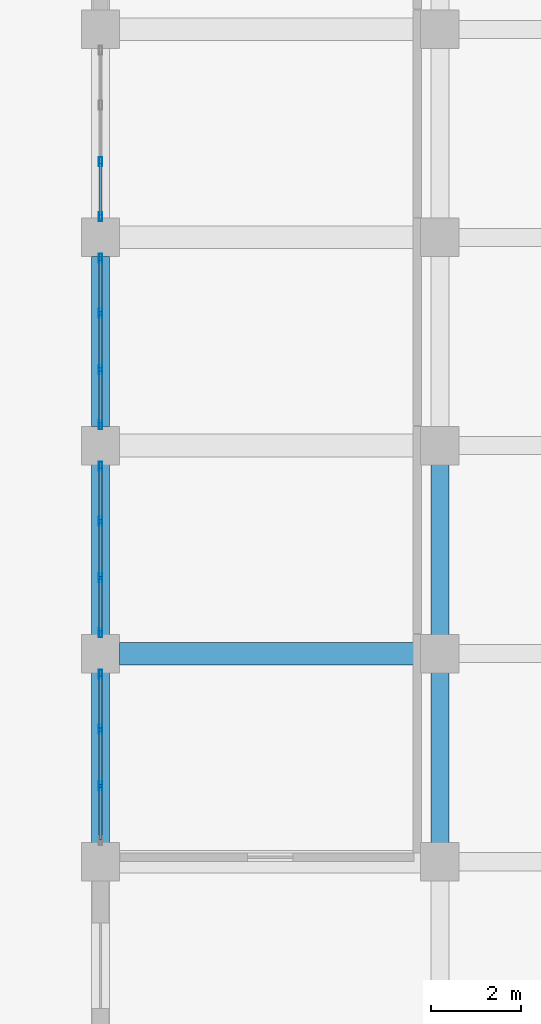
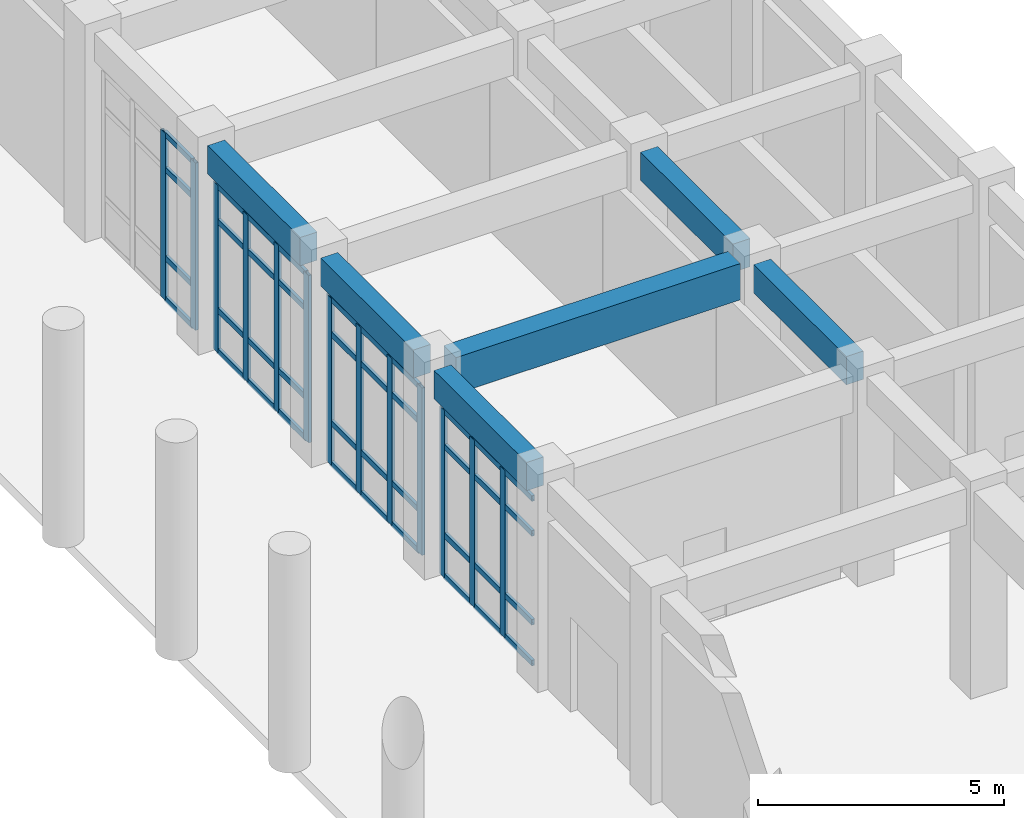
# One storey, part 14 of 84: 53 members, 6 beams, 4 elements without a shape of their own.
"""IFC4 building model written with IfcOpenShell, lengths in metres."""

import ifcopenshell
import ifcopenshell.guid

model = None  # the IFC model being written
_history = None  # IfcOwnerHistory: only IFC2X3 demands one
_inside = {}  # id of a spatial element -> (the spatial element, [elements in it])
_under = {}  # id of a project, library or spatial element -> (it, [spatial elements below it])
_declared = {}  # id of a project -> (the project, [libraries it declares])
_typed = {}  # id of a type object -> (the type object, [elements of that type])
_made_of = {}  # id of a material, layer set ... -> (it, [elements and type objects made of it])


def new_model(schema):
    """Start an empty IFC model of exactly this schema.

    Asked for "IFC4X3", IfcOpenShell would pick the latest addendum, in which some entities
    have other attributes; the version numbers below select the first issue.
    IFC2X3 requires an IfcOwnerHistory on every rooted entity: one is made here for all.
    """
    global model, _history
    if schema == "IFC4X3":
        model = ifcopenshell.file(schema_version=(4, 3, 0, 0))
    else:
        model = ifcopenshell.file(schema=schema)
    _inside.clear()
    _under.clear()
    _declared.clear()
    _typed.clear()
    _made_of.clear()
    _history = None
    if model.schema == "IFC2X3":
        org = make("IfcOrganization", Name="unknown")
        user = make(
            "IfcPersonAndOrganization",
            ThePerson=make("IfcPerson", FamilyName="unknown"),
            TheOrganization=org,
        )
        app = make(
            "IfcApplication",
            ApplicationDeveloper=org,
            Version="unknown",
            ApplicationFullName="unknown",
            ApplicationIdentifier="unknown",
        )
        _history = make(
            "IfcOwnerHistory",
            OwningUser=user,
            OwningApplication=app,
            ChangeAction="ADDED",
            CreationDate=0,
        )
    return model


def make(cls, **values):
    """One entity of the class cls with the attributes given. An attribute that is None is left unset."""
    return model.create_entity(
        cls, **{name: value for name, value in values.items() if value is not None}
    )


def rooted(cls, **values):
    """An entity with a GlobalId (a new one), such as an element, a storey or a relation."""
    return make(cls, GlobalId=ifcopenshell.guid.new(), OwnerHistory=_history, **values)


def si_unit(unit_type, name, prefix=None):
    """IfcSIUnit, for example si_unit("LENGTHUNIT", "METRE", prefix="MILLI")."""
    return make("IfcSIUnit", UnitType=unit_type, Prefix=prefix, Name=name)


def assignment(units):
    """IfcUnitAssignment: the units of a project."""
    return None if units is None else make("IfcUnitAssignment", Units=units)


def point(xyz):
    """IfcCartesianPoint."""
    return None if xyz is None else make("IfcCartesianPoint", Coordinates=xyz)


def direction(xyz):
    """IfcDirection."""
    return None if xyz is None else make("IfcDirection", DirectionRatios=xyz)


def frame(location, z_axis=None, x_axis=None):
    """IfcAxis2Placement3D, a coordinate frame: its origin and axes. An axis left out is left unset."""
    return make(
        "IfcAxis2Placement3D",
        Location=point(location),
        Axis=direction(z_axis),
        RefDirection=direction(x_axis),
    )


def frame_2d(location, x_axis=None):
    """IfcAxis2Placement2D, a coordinate frame in the plane: its origin and x axis."""
    return make(
        "IfcAxis2Placement2D", Location=point(location), RefDirection=direction(x_axis)
    )


def origin():
    """The frame at (0, 0, 0) with its axes left unset."""
    return frame((0.0, 0.0, 0.0))


def origin_2d():
    """The frame at (0, 0) in the plane with its x axis left unset."""
    return frame_2d((0.0, 0.0))


def place(relative_to, where):
    """IfcLocalPlacement: puts the frame where relative to a parent placement (None: the world)."""
    return make(
        "IfcLocalPlacement", PlacementRelTo=relative_to, RelativePlacement=where
    )


def context(
    kind, dimensions, precision=None, world=None, true_north=None, identifier=None
):
    """IfcGeometricRepresentationContext, for example the 3D "Model" context."""
    return make(
        "IfcGeometricRepresentationContext",
        ContextIdentifier=identifier,
        ContextType=kind,
        CoordinateSpaceDimension=dimensions,
        Precision=precision,
        WorldCoordinateSystem=world,
        TrueNorth=true_north,
    )


def subcontext(parent, identifier, kind, view, scale=None):
    """IfcGeometricRepresentationSubContext, for example "Body" below "Model"."""
    return make(
        "IfcGeometricRepresentationSubContext",
        ContextIdentifier=identifier,
        ContextType=kind,
        ParentContext=parent,
        TargetScale=scale,
        TargetView=view,
    )


def project(units=None, contexts=None):
    """IfcProject with its units and contexts."""
    return rooted(
        "IfcProject",
        Name="project",
        RepresentationContexts=contexts,
        UnitsInContext=assignment(units),
    )


def spatial(cls, under=None, at=None, **own):
    """A site, building, storey or space (cls), placed at a placement, below another one or the project."""
    s = rooted(cls, ObjectPlacement=at, **own)
    if under is not None:
        _under.setdefault(under.id(), (under, []))[1].append(s)
    return s


def profile(cls, at=None, kind="AREA", **sizes):
    """A parametric profile (cls). Its sizes go by their IFC names, for example OverallWidth=200.0."""
    return make(cls, ProfileType=kind, Position=at, **sizes)


def rectangle(**sizes):
    """IfcRectangleProfileDef."""
    return profile("IfcRectangleProfileDef", **sizes)


def hollow_rectangle(**sizes):
    """IfcRectangleHollowProfileDef."""
    return profile("IfcRectangleHollowProfileDef", **sizes)


def extrude(swept, where, along, depth):
    """IfcExtrudedAreaSolid: the profile swept, set in the frame where, extruded along a direction by depth."""
    return make(
        "IfcExtrudedAreaSolid",
        SweptArea=swept,
        Position=where,
        ExtrudedDirection=direction(along),
        Depth=depth,
    )


def shape(context_of_items, identifier, shape_type, items):
    """IfcShapeRepresentation: the items that make up one representation, for example the "Body"."""
    return make(
        "IfcShapeRepresentation",
        ContextOfItems=context_of_items,
        RepresentationIdentifier=identifier,
        RepresentationType=shape_type,
        Items=items,
    )


def material(Name=None, Category=None):
    """IfcMaterial."""
    return make("IfcMaterial", Name=Name, Category=Category)


def layer(
    of_material, thickness, ventilated=None, Name=None, Category=None, Priority=None
):
    """IfcMaterialLayer: one layer of a wall or slab, of a material (None: an air gap)."""
    return make(
        "IfcMaterialLayer",
        Material=of_material,
        LayerThickness=thickness,
        IsVentilated=ventilated,
        Name=Name,
        Category=Category,
        Priority=Priority,
    )


def layer_set(layers, Name=None):
    """IfcMaterialLayerSet."""
    return make("IfcMaterialLayerSet", MaterialLayers=layers, LayerSetName=Name)


def material_profile(
    of_material, cross_section, Name=None, Category=None, Priority=None
):
    """IfcMaterialProfile: a cross section and its material."""
    return make(
        "IfcMaterialProfile",
        Name=Name,
        Material=of_material,
        Profile=cross_section,
        Priority=Priority,
        Category=Category,
    )


def profile_set(profiles, Name=None, composite=None):
    """IfcMaterialProfileSet."""
    return make(
        "IfcMaterialProfileSet",
        Name=Name,
        MaterialProfiles=profiles,
        CompositeProfile=composite,
    )


def made_of(thing, what):
    """Note that an element or type object is made of a material, layer set ...; save() writes the relation."""
    if what is not None:
        _made_of.setdefault(what.id(), (what, []))[1].append(thing)
    return thing


def type_object(cls, material=None, **own):
    """A type object (cls), such as IfcWallType, which elements share."""
    return made_of(rooted(cls, **own), material)


def element(
    cls,
    number,
    at=None,
    inside=None,
    cuts=None,
    type_object=None,
    material=None,
    context=None,
    identifier="Body",
    shape_type=None,
    held_by="IfcProductDefinitionShape",
    body=None,
    shapes=None,
    **own,
):
    """One element of the class cls, such as IfcWall. Its Tag is "e" and its number.

    at: its placement. inside: the storey or other place that contains it. cuts: it is an
    opening in that element (IfcRelVoidsElement). A single representation is given by context,
    identifier, shape_type and body (its items); several are given by shapes. held_by: the class
    of the entity that holds the representations. save() writes the other relations.
    """
    e = rooted(cls, Tag="e%d" % number, ObjectPlacement=at, **own)
    if body is not None:
        shapes = [shape(context, identifier, shape_type, body)]
    if shapes is not None:
        e.Representation = make(held_by, Representations=shapes)
    if inside is not None:
        _inside.setdefault(inside.id(), (inside, []))[1].append(e)
    if cuts is not None:
        rooted(
            "IfcRelVoidsElement", RelatingBuildingElement=cuts, RelatedOpeningElement=e
        )
    if type_object is not None:
        _typed.setdefault(type_object.id(), (type_object, []))[1].append(e)
    return made_of(e, material)


def aggregate(whole, parts):
    """IfcRelAggregates: a whole, such as a stair, and the parts it consists of."""
    return rooted("IfcRelAggregates", RelatingObject=whole, RelatedObjects=parts)


def save(model, path):
    """Write the relations noted so far, then the file.

    IfcRelAggregates (storeys below a building ...), IfcRelContainedInSpatialStructure (elements
    in a storey), IfcRelDefinesByType, IfcRelAssociatesMaterial and IfcRelDeclares: one each for
    every whole, place, type object, material and project.
    """
    for whole, parts in _under.values():
        aggregate(whole, parts)
    for where, things in _inside.values():
        rooted(
            "IfcRelContainedInSpatialStructure",
            RelatedElements=things,
            RelatingStructure=where,
        )
    for kind, things in _typed.values():
        rooted("IfcRelDefinesByType", RelatedObjects=things, RelatingType=kind)
    for what, things in _made_of.values():
        rooted("IfcRelAssociatesMaterial", RelatedObjects=things, RelatingMaterial=what)
    for by, libraries in _declared.values():
        rooted("IfcRelDeclares", RelatingContext=by, RelatedDefinitions=libraries)
    model.write(path)


model = new_model("IFC4")

# Units and contexts
model_context = context("Model", 3, precision=1e-05, world=origin(), true_north=direction((0.0, 1.0)))
body_context = subcontext(model_context, "Body", "Model", "MODEL_VIEW")
ifc_project = project(units=[si_unit("LENGTHUNIT", "METRE"), si_unit("AREAUNIT", "SQUARE_METRE"), si_unit("VOLUMEUNIT", "CUBIC_METRE"), si_unit("PLANEANGLEUNIT", "RADIAN"), si_unit("MASSUNIT", "GRAM", prefix="KILO")], contexts=[model_context])

# Site, building, storey
site_placement = place(None, origin())
site = spatial("IfcSite", under=ifc_project, at=site_placement, CompositionType="ELEMENT")
building_placement = place(site_placement, origin())
building = spatial("IfcBuilding", under=site, at=building_placement, Name="Muzn Square Opera House", CompositionType="ELEMENT")
storey_placement = place(building_placement, origin())
storey = spatial("IfcBuildingStorey", under=building, at=storey_placement, Name="L00", CompositionType="ELEMENT", Elevation=0.0)

# Curtain wall, members
ifc_material_1 = material(Name="Low-E laminated acoustic double glazing", Category="glass")
ifc_layer = layer(ifc_material_1, 0.159912109375, Name="Low-E laminated acoustic double glazing", Category="glass")
ifc_layer_set = layer_set([ifc_layer], Name="Low-E laminated acoustic double glazing")
curtain_wall_type = type_object("IfcCurtainWallType", Name="Glazed Curtain Wall WestBlvd 3750x4150", PredefinedType="USERDEFINED", material=ifc_layer_set)
curtain_wall_1_placement = place(storey_placement, origin())
curtain_wall_1 = element("IfcCurtainWall", 1, at=curtain_wall_1_placement, inside=storey, type_object=curtain_wall_type, Name="Glazed Curtain Wall CW-L00-135", ObjectType="GLAZED CURTAIN WALL", PredefinedType="USERDEFINED")
ifc_material_2 = material(Name="Anodised bronze aluminium 6063-T6", Category="metal")
ifc_material_profile_1 = material_profile(ifc_material_2, hollow_rectangle(XDim=0.070068359375, YDim=0.199951171875, WallThickness=0.0048828125, at=origin_2d()), Name="ALU 200x70x5", Category="metal")
ifc_profile_set_1 = profile_set([ifc_material_profile_1], Name="Anodised bronze aluminium 6063-T6")
member_type_1 = type_object("IfcMemberType", Name="Curtain Wall Mullion 200x70", PredefinedType="MULLION", material=ifc_profile_set_1)
member_1_placement = place(storey_placement, frame((6.0, 32.875, 0.0), z_axis=(0.0, 0.0, 1.0), x_axis=(-1.0, 0.0, 0.0)))
member_1 = element("IfcMember", 2, at=member_1_placement, type_object=member_type_1, Name="CW-WBL-37x41 mullion 2", PredefinedType="MULLION", context=body_context, shape_type="SweptSolid", body=[
    extrude(hollow_rectangle(XDim=0.070068359375, YDim=0.199951171875, WallThickness=0.0048828125, at=origin_2d()), origin(), (0.0, 0.0, 1.0), 4.14990234375),
])
member_2_placement = place(storey_placement, frame((6.0, 34.125, 0.0), z_axis=(0.0, 0.0, 1.0), x_axis=(-1.0, 0.0, 0.0)))
member_2 = element("IfcMember", 3, at=member_2_placement, type_object=member_type_1, Name="CW-WBL-37x41 mullion 3", PredefinedType="MULLION", context=body_context, shape_type="SweptSolid", body=[
    extrude(hollow_rectangle(XDim=0.070068359375, YDim=0.199951171875, WallThickness=0.0048828125, at=origin_2d()), origin(), (0.0, 0.0, 1.0), 4.14990234375),
])
member_3_placement = place(storey_placement, frame((6.0, 35.340087890625, 0.0), z_axis=(0.0, 0.0, 1.0), x_axis=(-1.0, 0.0, 0.0)))
member_3 = element("IfcMember", 4, at=member_3_placement, type_object=member_type_1, Name="CW-WBL-37x41 mullion 4", PredefinedType="MULLION", context=body_context, shape_type="SweptSolid", body=[
    extrude(hollow_rectangle(XDim=0.070068359375, YDim=0.199951171875, WallThickness=0.0048828125, at=origin_2d()), origin(), (0.0, 0.0, 1.0), 4.14990234375),
])

curtain_wall_2_placement = place(storey_placement, origin())
curtain_wall_2 = element("IfcCurtainWall", 5, at=curtain_wall_2_placement, inside=storey, type_object=curtain_wall_type, Name="Glazed Curtain Wall CW-L00-136", ObjectType="GLAZED CURTAIN WALL", PredefinedType="USERDEFINED")
member_4_placement = place(storey_placement, frame((6.0, 36.260009765625, 0.0), z_axis=(0.0, 0.0, 1.0), x_axis=(-1.0, 0.0, 0.0)))
member_4 = element("IfcMember", 6, at=member_4_placement, type_object=member_type_1, Name="CW-WBL-37x41 mullion 1", PredefinedType="MULLION", context=body_context, shape_type="SweptSolid", body=[
    extrude(hollow_rectangle(XDim=0.070068359375, YDim=0.199951171875, WallThickness=0.0048828125, at=origin_2d()), origin(), (0.0, 0.0, 1.0), 4.14990234375),
])
member_5_placement = place(storey_placement, frame((6.0, 37.47509765625, 0.0), z_axis=(0.0, 0.0, 1.0), x_axis=(-1.0, 0.0, 0.0)))
member_5 = element("IfcMember", 7, at=member_5_placement, type_object=member_type_1, Name="CW-WBL-37x41 mullion 2", PredefinedType="MULLION", context=body_context, shape_type="SweptSolid", body=[
    extrude(hollow_rectangle(XDim=0.070068359375, YDim=0.199951171875, WallThickness=0.0048828125, at=origin_2d()), origin(), (0.0, 0.0, 1.0), 4.14990234375),
])
member_6_placement = place(storey_placement, frame((6.0, 38.72509765625, 0.0), z_axis=(0.0, 0.0, 1.0), x_axis=(-1.0, 0.0, 0.0)))
member_6 = element("IfcMember", 8, at=member_6_placement, type_object=member_type_1, Name="CW-WBL-37x41 mullion 3", PredefinedType="MULLION", context=body_context, shape_type="SweptSolid", body=[
    extrude(hollow_rectangle(XDim=0.070068359375, YDim=0.199951171875, WallThickness=0.0048828125, at=origin_2d()), origin(), (0.0, 0.0, 1.0), 4.14990234375),
])
member_7_placement = place(storey_placement, frame((6.0, 39.93994140625, 0.0), z_axis=(0.0, 0.0, 1.0), x_axis=(-1.0, 0.0, 0.0)))
member_7 = element("IfcMember", 9, at=member_7_placement, type_object=member_type_1, Name="CW-WBL-37x41 mullion 4", PredefinedType="MULLION", context=body_context, shape_type="SweptSolid", body=[
    extrude(hollow_rectangle(XDim=0.070068359375, YDim=0.199951171875, WallThickness=0.0048828125, at=origin_2d()), origin(), (0.0, 0.0, 1.0), 4.14990234375),
])

curtain_wall_3_placement = place(storey_placement, origin())
curtain_wall_3 = element("IfcCurtainWall", 10, at=curtain_wall_3_placement, inside=storey, type_object=curtain_wall_type, Name="Glazed Curtain Wall CW-L00-137", ObjectType="GLAZED CURTAIN WALL", PredefinedType="USERDEFINED")
member_8_placement = place(storey_placement, frame((6.0, 40.860107421875, 0.0), z_axis=(0.0, 0.0, 1.0), x_axis=(-1.0, 0.0, 0.0)))
member_8 = element("IfcMember", 11, at=member_8_placement, type_object=member_type_1, Name="CW-WBL-37x41 mullion 1", PredefinedType="MULLION", context=body_context, shape_type="SweptSolid", body=[
    extrude(hollow_rectangle(XDim=0.070068359375, YDim=0.199951171875, WallThickness=0.0048828125, at=origin_2d()), origin(), (0.0, 0.0, 1.0), 4.14990234375),
])
member_9_placement = place(storey_placement, frame((6.0, 42.074951171875, 0.0), z_axis=(0.0, 0.0, 1.0), x_axis=(-1.0, 0.0, 0.0)))
member_9 = element("IfcMember", 12, at=member_9_placement, type_object=member_type_1, Name="CW-WBL-37x41 mullion 2", PredefinedType="MULLION", context=body_context, shape_type="SweptSolid", body=[
    extrude(hollow_rectangle(XDim=0.070068359375, YDim=0.199951171875, WallThickness=0.0048828125, at=origin_2d()), origin(), (0.0, 0.0, 1.0), 4.14990234375),
])
member_10_placement = place(storey_placement, frame((6.0, 43.324951171875, 0.0), z_axis=(0.0, 0.0, 1.0), x_axis=(-1.0, 0.0, 0.0)))
member_10 = element("IfcMember", 13, at=member_10_placement, type_object=member_type_1, Name="CW-WBL-37x41 mullion 3", PredefinedType="MULLION", context=body_context, shape_type="SweptSolid", body=[
    extrude(hollow_rectangle(XDim=0.070068359375, YDim=0.199951171875, WallThickness=0.0048828125, at=origin_2d()), origin(), (0.0, 0.0, 1.0), 4.14990234375),
])
member_11_placement = place(storey_placement, frame((6.0, 44.5400390625, 0.0), z_axis=(0.0, 0.0, 1.0), x_axis=(-1.0, 0.0, 0.0)))
member_11 = element("IfcMember", 14, at=member_11_placement, type_object=member_type_1, Name="CW-WBL-37x41 mullion 4", PredefinedType="MULLION", context=body_context, shape_type="SweptSolid", body=[
    extrude(hollow_rectangle(XDim=0.070068359375, YDim=0.199951171875, WallThickness=0.0048828125, at=origin_2d()), origin(), (0.0, 0.0, 1.0), 4.14990234375),
])

curtain_wall_4_placement = place(storey_placement, origin())
curtain_wall_4 = element("IfcCurtainWall", 15, at=curtain_wall_4_placement, inside=storey, type_object=curtain_wall_type, Name="Glazed Curtain Wall CW-L00-138", ObjectType="GLAZED CURTAIN WALL", PredefinedType="USERDEFINED")
member_12_placement = place(storey_placement, frame((6.0, 45.4599609375, 0.0), z_axis=(0.0, 0.0, 1.0), x_axis=(-1.0, 0.0, 0.0)))
member_12 = element("IfcMember", 16, at=member_12_placement, type_object=member_type_1, Name="CW-WBL-37x41 mullion 1", PredefinedType="MULLION", context=body_context, shape_type="SweptSolid", body=[
    extrude(hollow_rectangle(XDim=0.070068359375, YDim=0.199951171875, WallThickness=0.0048828125, at=origin_2d()), origin(), (0.0, 0.0, 1.0), 4.14990234375),
])
member_13_placement = place(storey_placement, frame((6.0, 46.675048828125, 0.0), z_axis=(0.0, 0.0, 1.0), x_axis=(-1.0, 0.0, 0.0)))
member_13 = element("IfcMember", 17, at=member_13_placement, type_object=member_type_1, Name="CW-WBL-37x41 mullion 2", PredefinedType="MULLION", context=body_context, shape_type="SweptSolid", body=[
    extrude(hollow_rectangle(XDim=0.070068359375, YDim=0.199951171875, WallThickness=0.0048828125, at=origin_2d()), origin(), (0.0, 0.0, 1.0), 4.14990234375),
])

# Member
ifc_material_profile_2 = material_profile(ifc_material_2, hollow_rectangle(XDim=0.070068359375, YDim=0.139892578125, WallThickness=0.00390625, at=origin_2d()), Name="ALU 140x70x4", Category="metal")
ifc_profile_set_2 = profile_set([ifc_material_profile_2], Name="Anodised bronze aluminium 6063-T6")
member_type_2 = type_object("IfcMemberType", Name="Curtain Wall Transom 140x70", PredefinedType="USERDEFINED", material=ifc_profile_set_2)
member_14_placement = place(storey_placement, frame((6.0, 31.695068359375, 0.034912109375), z_axis=(0.0, 1.0, 0.0), x_axis=(-1.0, 0.0, 0.0)))
member_14 = element("IfcMember", 18, at=member_14_placement, type_object=member_type_2, Name="CW-WBL-37x41 transom 1.1", ObjectType="TRANSOM", PredefinedType="USERDEFINED", context=body_context, shape_type="SweptSolid", body=[
    extrude(hollow_rectangle(XDim=0.070068359375, YDim=0.139892578125, WallThickness=0.00390625, at=origin_2d()), origin(), (0.0, 0.0, 1.0), 1.14501953125),
])

member_15_placement = place(storey_placement, frame((6.0, 31.695068359375, 1.050048828125), z_axis=(0.0, 1.0, 0.0), x_axis=(-1.0, 0.0, 0.0)))
member_15 = element("IfcMember", 19, at=member_15_placement, type_object=member_type_2, Name="CW-WBL-37x41 transom 1.2", ObjectType="TRANSOM", PredefinedType="USERDEFINED", context=body_context, shape_type="SweptSolid", body=[
    extrude(hollow_rectangle(XDim=0.070068359375, YDim=0.139892578125, WallThickness=0.00390625, at=origin_2d()), origin(), (0.0, 0.0, 1.0), 1.14501953125),
])

member_16_placement = place(storey_placement, frame((6.0, 31.695068359375, 3.25), z_axis=(0.0, 1.0, 0.0), x_axis=(-1.0, 0.0, 0.0)))
member_16 = element("IfcMember", 20, at=member_16_placement, type_object=member_type_2, Name="CW-WBL-37x41 transom 1.3", ObjectType="TRANSOM", PredefinedType="USERDEFINED", context=body_context, shape_type="SweptSolid", body=[
    extrude(hollow_rectangle(XDim=0.070068359375, YDim=0.139892578125, WallThickness=0.00390625, at=origin_2d()), origin(), (0.0, 0.0, 1.0), 1.14501953125),
])

member_17_placement = place(storey_placement, frame((6.0, 31.695068359375, 4.114990234375), z_axis=(0.0, 1.0, 0.0), x_axis=(-1.0, 0.0, 0.0)))
member_17 = element("IfcMember", 21, at=member_17_placement, type_object=member_type_2, Name="CW-WBL-37x41 transom 1.4", ObjectType="TRANSOM", PredefinedType="USERDEFINED", context=body_context, shape_type="SweptSolid", body=[
    extrude(hollow_rectangle(XDim=0.070068359375, YDim=0.139892578125, WallThickness=0.00390625, at=origin_2d()), origin(), (0.0, 0.0, 1.0), 1.14501953125),
])

member_18_placement = place(storey_placement, frame((6.0, 32.909912109375, 0.034912109375), z_axis=(0.0, 1.0, 0.0), x_axis=(-1.0, 0.0, 0.0)))
member_18 = element("IfcMember", 22, at=member_18_placement, type_object=member_type_2, Name="CW-WBL-37x41 transom 2.1", ObjectType="TRANSOM", PredefinedType="USERDEFINED", context=body_context, shape_type="SweptSolid", body=[
    extrude(hollow_rectangle(XDim=0.070068359375, YDim=0.139892578125, WallThickness=0.00390625, at=origin_2d()), origin(), (0.0, 0.0, 1.0), 1.18017578125),
])

member_19_placement = place(storey_placement, frame((6.0, 32.909912109375, 1.050048828125), z_axis=(0.0, 1.0, 0.0), x_axis=(-1.0, 0.0, 0.0)))
member_19 = element("IfcMember", 23, at=member_19_placement, type_object=member_type_2, Name="CW-WBL-37x41 transom 2.2", ObjectType="TRANSOM", PredefinedType="USERDEFINED", context=body_context, shape_type="SweptSolid", body=[
    extrude(hollow_rectangle(XDim=0.070068359375, YDim=0.139892578125, WallThickness=0.00390625, at=origin_2d()), origin(), (0.0, 0.0, 1.0), 1.18017578125),
])

member_20_placement = place(storey_placement, frame((6.0, 32.909912109375, 3.25), z_axis=(0.0, 1.0, 0.0), x_axis=(-1.0, 0.0, 0.0)))
member_20 = element("IfcMember", 24, at=member_20_placement, type_object=member_type_2, Name="CW-WBL-37x41 transom 2.3", ObjectType="TRANSOM", PredefinedType="USERDEFINED", context=body_context, shape_type="SweptSolid", body=[
    extrude(hollow_rectangle(XDim=0.070068359375, YDim=0.139892578125, WallThickness=0.00390625, at=origin_2d()), origin(), (0.0, 0.0, 1.0), 1.18017578125),
])

member_21_placement = place(storey_placement, frame((6.0, 32.909912109375, 4.114990234375), z_axis=(0.0, 1.0, 0.0), x_axis=(-1.0, 0.0, 0.0)))
member_21 = element("IfcMember", 25, at=member_21_placement, type_object=member_type_2, Name="CW-WBL-37x41 transom 2.4", ObjectType="TRANSOM", PredefinedType="USERDEFINED", context=body_context, shape_type="SweptSolid", body=[
    extrude(hollow_rectangle(XDim=0.070068359375, YDim=0.139892578125, WallThickness=0.00390625, at=origin_2d()), origin(), (0.0, 0.0, 1.0), 1.18017578125),
])

member_22_placement = place(storey_placement, frame((6.0, 34.159912109375, 0.034912109375), z_axis=(0.0, 1.0, 0.0), x_axis=(-1.0, 0.0, 0.0)))
member_22 = element("IfcMember", 26, at=member_22_placement, type_object=member_type_2, Name="CW-WBL-37x41 transom 3.1", ObjectType="TRANSOM", PredefinedType="USERDEFINED", context=body_context, shape_type="SweptSolid", body=[
    extrude(hollow_rectangle(XDim=0.070068359375, YDim=0.139892578125, WallThickness=0.00390625, at=origin_2d()), origin(), (0.0, 0.0, 1.0), 1.14501953125),
])

member_23_placement = place(storey_placement, frame((6.0, 34.159912109375, 1.050048828125), z_axis=(0.0, 1.0, 0.0), x_axis=(-1.0, 0.0, 0.0)))
member_23 = element("IfcMember", 27, at=member_23_placement, type_object=member_type_2, Name="CW-WBL-37x41 transom 3.2", ObjectType="TRANSOM", PredefinedType="USERDEFINED", context=body_context, shape_type="SweptSolid", body=[
    extrude(hollow_rectangle(XDim=0.070068359375, YDim=0.139892578125, WallThickness=0.00390625, at=origin_2d()), origin(), (0.0, 0.0, 1.0), 1.14501953125),
])

member_24_placement = place(storey_placement, frame((6.0, 34.159912109375, 3.25), z_axis=(0.0, 1.0, 0.0), x_axis=(-1.0, 0.0, 0.0)))
member_24 = element("IfcMember", 28, at=member_24_placement, type_object=member_type_2, Name="CW-WBL-37x41 transom 3.3", ObjectType="TRANSOM", PredefinedType="USERDEFINED", context=body_context, shape_type="SweptSolid", body=[
    extrude(hollow_rectangle(XDim=0.070068359375, YDim=0.139892578125, WallThickness=0.00390625, at=origin_2d()), origin(), (0.0, 0.0, 1.0), 1.14501953125),
])

member_25_placement = place(storey_placement, frame((6.0, 34.159912109375, 4.114990234375), z_axis=(0.0, 1.0, 0.0), x_axis=(-1.0, 0.0, 0.0)))
member_25 = element("IfcMember", 29, at=member_25_placement, type_object=member_type_2, Name="CW-WBL-37x41 transom 3.4", ObjectType="TRANSOM", PredefinedType="USERDEFINED", context=body_context, shape_type="SweptSolid", body=[
    extrude(hollow_rectangle(XDim=0.070068359375, YDim=0.139892578125, WallThickness=0.00390625, at=origin_2d()), origin(), (0.0, 0.0, 1.0), 1.14501953125),
])

aggregate(curtain_wall_1, [member_1, member_2, member_3, member_14, member_15, member_16, member_17, member_18, member_19, member_20, member_21, member_22, member_23, member_24, member_25])

member_26_placement = place(storey_placement, frame((6.0, 36.294921875, 0.034912109375), z_axis=(0.0, 1.0, 0.0), x_axis=(-1.0, 0.0, 0.0)))
member_26 = element("IfcMember", 30, at=member_26_placement, type_object=member_type_2, Name="CW-WBL-37x41 transom 1.1", ObjectType="TRANSOM", PredefinedType="USERDEFINED", context=body_context, shape_type="SweptSolid", body=[
    extrude(hollow_rectangle(XDim=0.070068359375, YDim=0.139892578125, WallThickness=0.00390625, at=origin_2d()), origin(), (0.0, 0.0, 1.0), 1.14501953125),
])

member_27_placement = place(storey_placement, frame((6.0, 36.294921875, 1.050048828125), z_axis=(0.0, 1.0, 0.0), x_axis=(-1.0, 0.0, 0.0)))
member_27 = element("IfcMember", 31, at=member_27_placement, type_object=member_type_2, Name="CW-WBL-37x41 transom 1.2", ObjectType="TRANSOM", PredefinedType="USERDEFINED", context=body_context, shape_type="SweptSolid", body=[
    extrude(hollow_rectangle(XDim=0.070068359375, YDim=0.139892578125, WallThickness=0.00390625, at=origin_2d()), origin(), (0.0, 0.0, 1.0), 1.14501953125),
])

member_28_placement = place(storey_placement, frame((6.0, 36.294921875, 3.25), z_axis=(0.0, 1.0, 0.0), x_axis=(-1.0, 0.0, 0.0)))
member_28 = element("IfcMember", 32, at=member_28_placement, type_object=member_type_2, Name="CW-WBL-37x41 transom 1.3", ObjectType="TRANSOM", PredefinedType="USERDEFINED", context=body_context, shape_type="SweptSolid", body=[
    extrude(hollow_rectangle(XDim=0.070068359375, YDim=0.139892578125, WallThickness=0.00390625, at=origin_2d()), origin(), (0.0, 0.0, 1.0), 1.14501953125),
])

member_29_placement = place(storey_placement, frame((6.0, 36.294921875, 4.114990234375), z_axis=(0.0, 1.0, 0.0), x_axis=(-1.0, 0.0, 0.0)))
member_29 = element("IfcMember", 33, at=member_29_placement, type_object=member_type_2, Name="CW-WBL-37x41 transom 1.4", ObjectType="TRANSOM", PredefinedType="USERDEFINED", context=body_context, shape_type="SweptSolid", body=[
    extrude(hollow_rectangle(XDim=0.070068359375, YDim=0.139892578125, WallThickness=0.00390625, at=origin_2d()), origin(), (0.0, 0.0, 1.0), 1.14501953125),
])

member_30_placement = place(storey_placement, frame((6.0, 37.510009765625, 0.034912109375), z_axis=(0.0, 1.0, 0.0), x_axis=(-1.0, 0.0, 0.0)))
member_30 = element("IfcMember", 34, at=member_30_placement, type_object=member_type_2, Name="CW-WBL-37x41 transom 2.1", ObjectType="TRANSOM", PredefinedType="USERDEFINED", context=body_context, shape_type="SweptSolid", body=[
    extrude(hollow_rectangle(XDim=0.070068359375, YDim=0.139892578125, WallThickness=0.00390625, at=origin_2d()), origin(), (0.0, 0.0, 1.0), 1.179931640625),
])

member_31_placement = place(storey_placement, frame((6.0, 37.510009765625, 1.050048828125), z_axis=(0.0, 1.0, 0.0), x_axis=(-1.0, 0.0, 0.0)))
member_31 = element("IfcMember", 35, at=member_31_placement, type_object=member_type_2, Name="CW-WBL-37x41 transom 2.2", ObjectType="TRANSOM", PredefinedType="USERDEFINED", context=body_context, shape_type="SweptSolid", body=[
    extrude(hollow_rectangle(XDim=0.070068359375, YDim=0.139892578125, WallThickness=0.00390625, at=origin_2d()), origin(), (0.0, 0.0, 1.0), 1.179931640625),
])

member_32_placement = place(storey_placement, frame((6.0, 37.510009765625, 3.25), z_axis=(0.0, 1.0, 0.0), x_axis=(-1.0, 0.0, 0.0)))
member_32 = element("IfcMember", 36, at=member_32_placement, type_object=member_type_2, Name="CW-WBL-37x41 transom 2.3", ObjectType="TRANSOM", PredefinedType="USERDEFINED", context=body_context, shape_type="SweptSolid", body=[
    extrude(hollow_rectangle(XDim=0.070068359375, YDim=0.139892578125, WallThickness=0.00390625, at=origin_2d()), origin(), (0.0, 0.0, 1.0), 1.179931640625),
])

member_33_placement = place(storey_placement, frame((6.0, 37.510009765625, 4.114990234375), z_axis=(0.0, 1.0, 0.0), x_axis=(-1.0, 0.0, 0.0)))
member_33 = element("IfcMember", 37, at=member_33_placement, type_object=member_type_2, Name="CW-WBL-37x41 transom 2.4", ObjectType="TRANSOM", PredefinedType="USERDEFINED", context=body_context, shape_type="SweptSolid", body=[
    extrude(hollow_rectangle(XDim=0.070068359375, YDim=0.139892578125, WallThickness=0.00390625, at=origin_2d()), origin(), (0.0, 0.0, 1.0), 1.179931640625),
])

member_34_placement = place(storey_placement, frame((6.0, 38.760009765625, 0.034912109375), z_axis=(0.0, 1.0, 0.0), x_axis=(-1.0, 0.0, 0.0)))
member_34 = element("IfcMember", 38, at=member_34_placement, type_object=member_type_2, Name="CW-WBL-37x41 transom 3.1", ObjectType="TRANSOM", PredefinedType="USERDEFINED", context=body_context, shape_type="SweptSolid", body=[
    extrude(hollow_rectangle(XDim=0.070068359375, YDim=0.139892578125, WallThickness=0.00390625, at=origin_2d()), origin(), (0.0, 0.0, 1.0), 1.14501953125),
])

member_35_placement = place(storey_placement, frame((6.0, 38.760009765625, 1.050048828125), z_axis=(0.0, 1.0, 0.0), x_axis=(-1.0, 0.0, 0.0)))
member_35 = element("IfcMember", 39, at=member_35_placement, type_object=member_type_2, Name="CW-WBL-37x41 transom 3.2", ObjectType="TRANSOM", PredefinedType="USERDEFINED", context=body_context, shape_type="SweptSolid", body=[
    extrude(hollow_rectangle(XDim=0.070068359375, YDim=0.139892578125, WallThickness=0.00390625, at=origin_2d()), origin(), (0.0, 0.0, 1.0), 1.14501953125),
])

member_36_placement = place(storey_placement, frame((6.0, 38.760009765625, 3.25), z_axis=(0.0, 1.0, 0.0), x_axis=(-1.0, 0.0, 0.0)))
member_36 = element("IfcMember", 40, at=member_36_placement, type_object=member_type_2, Name="CW-WBL-37x41 transom 3.3", ObjectType="TRANSOM", PredefinedType="USERDEFINED", context=body_context, shape_type="SweptSolid", body=[
    extrude(hollow_rectangle(XDim=0.070068359375, YDim=0.139892578125, WallThickness=0.00390625, at=origin_2d()), origin(), (0.0, 0.0, 1.0), 1.14501953125),
])

member_37_placement = place(storey_placement, frame((6.0, 38.760009765625, 4.114990234375), z_axis=(0.0, 1.0, 0.0), x_axis=(-1.0, 0.0, 0.0)))
member_37 = element("IfcMember", 41, at=member_37_placement, type_object=member_type_2, Name="CW-WBL-37x41 transom 3.4", ObjectType="TRANSOM", PredefinedType="USERDEFINED", context=body_context, shape_type="SweptSolid", body=[
    extrude(hollow_rectangle(XDim=0.070068359375, YDim=0.139892578125, WallThickness=0.00390625, at=origin_2d()), origin(), (0.0, 0.0, 1.0), 1.14501953125),
])

aggregate(curtain_wall_2, [member_4, member_5, member_6, member_7, member_26, member_27, member_28, member_29, member_30, member_31, member_32, member_33, member_34, member_35, member_36, member_37])

member_38_placement = place(storey_placement, frame((6.0, 40.89501953125, 0.034912109375), z_axis=(0.0, 1.0, 0.0), x_axis=(-1.0, 0.0, 0.0)))
member_38 = element("IfcMember", 42, at=member_38_placement, type_object=member_type_2, Name="CW-WBL-37x41 transom 1.1", ObjectType="TRANSOM", PredefinedType="USERDEFINED", context=body_context, shape_type="SweptSolid", body=[
    extrude(hollow_rectangle(XDim=0.070068359375, YDim=0.139892578125, WallThickness=0.00390625, at=origin_2d()), origin(), (0.0, 0.0, 1.0), 1.14501953125),
])

member_39_placement = place(storey_placement, frame((6.0, 40.89501953125, 1.050048828125), z_axis=(0.0, 1.0, 0.0), x_axis=(-1.0, 0.0, 0.0)))
member_39 = element("IfcMember", 43, at=member_39_placement, type_object=member_type_2, Name="CW-WBL-37x41 transom 1.2", ObjectType="TRANSOM", PredefinedType="USERDEFINED", context=body_context, shape_type="SweptSolid", body=[
    extrude(hollow_rectangle(XDim=0.070068359375, YDim=0.139892578125, WallThickness=0.00390625, at=origin_2d()), origin(), (0.0, 0.0, 1.0), 1.14501953125),
])

member_40_placement = place(storey_placement, frame((6.0, 40.89501953125, 3.25), z_axis=(0.0, 1.0, 0.0), x_axis=(-1.0, 0.0, 0.0)))
member_40 = element("IfcMember", 44, at=member_40_placement, type_object=member_type_2, Name="CW-WBL-37x41 transom 1.3", ObjectType="TRANSOM", PredefinedType="USERDEFINED", context=body_context, shape_type="SweptSolid", body=[
    extrude(hollow_rectangle(XDim=0.070068359375, YDim=0.139892578125, WallThickness=0.00390625, at=origin_2d()), origin(), (0.0, 0.0, 1.0), 1.14501953125),
])

member_41_placement = place(storey_placement, frame((6.0, 40.89501953125, 4.114990234375), z_axis=(0.0, 1.0, 0.0), x_axis=(-1.0, 0.0, 0.0)))
member_41 = element("IfcMember", 45, at=member_41_placement, type_object=member_type_2, Name="CW-WBL-37x41 transom 1.4", ObjectType="TRANSOM", PredefinedType="USERDEFINED", context=body_context, shape_type="SweptSolid", body=[
    extrude(hollow_rectangle(XDim=0.070068359375, YDim=0.139892578125, WallThickness=0.00390625, at=origin_2d()), origin(), (0.0, 0.0, 1.0), 1.14501953125),
])

member_42_placement = place(storey_placement, frame((6.0, 42.110107421875, 0.034912109375), z_axis=(0.0, 1.0, 0.0), x_axis=(-1.0, 0.0, 0.0)))
member_42 = element("IfcMember", 46, at=member_42_placement, type_object=member_type_2, Name="CW-WBL-37x41 transom 2.1", ObjectType="TRANSOM", PredefinedType="USERDEFINED", context=body_context, shape_type="SweptSolid", body=[
    extrude(hollow_rectangle(XDim=0.070068359375, YDim=0.139892578125, WallThickness=0.00390625, at=origin_2d()), origin(), (0.0, 0.0, 1.0), 1.179931640625),
])

member_43_placement = place(storey_placement, frame((6.0, 42.110107421875, 1.050048828125), z_axis=(0.0, 1.0, 0.0), x_axis=(-1.0, 0.0, 0.0)))
member_43 = element("IfcMember", 47, at=member_43_placement, type_object=member_type_2, Name="CW-WBL-37x41 transom 2.2", ObjectType="TRANSOM", PredefinedType="USERDEFINED", context=body_context, shape_type="SweptSolid", body=[
    extrude(hollow_rectangle(XDim=0.070068359375, YDim=0.139892578125, WallThickness=0.00390625, at=origin_2d()), origin(), (0.0, 0.0, 1.0), 1.179931640625),
])

member_44_placement = place(storey_placement, frame((6.0, 42.110107421875, 3.25), z_axis=(0.0, 1.0, 0.0), x_axis=(-1.0, 0.0, 0.0)))
member_44 = element("IfcMember", 48, at=member_44_placement, type_object=member_type_2, Name="CW-WBL-37x41 transom 2.3", ObjectType="TRANSOM", PredefinedType="USERDEFINED", context=body_context, shape_type="SweptSolid", body=[
    extrude(hollow_rectangle(XDim=0.070068359375, YDim=0.139892578125, WallThickness=0.00390625, at=origin_2d()), origin(), (0.0, 0.0, 1.0), 1.179931640625),
])

member_45_placement = place(storey_placement, frame((6.0, 42.110107421875, 4.114990234375), z_axis=(0.0, 1.0, 0.0), x_axis=(-1.0, 0.0, 0.0)))
member_45 = element("IfcMember", 49, at=member_45_placement, type_object=member_type_2, Name="CW-WBL-37x41 transom 2.4", ObjectType="TRANSOM", PredefinedType="USERDEFINED", context=body_context, shape_type="SweptSolid", body=[
    extrude(hollow_rectangle(XDim=0.070068359375, YDim=0.139892578125, WallThickness=0.00390625, at=origin_2d()), origin(), (0.0, 0.0, 1.0), 1.179931640625),
])

member_46_placement = place(storey_placement, frame((6.0, 43.360107421875, 0.034912109375), z_axis=(0.0, 1.0, 0.0), x_axis=(-1.0, 0.0, 0.0)))
member_46 = element("IfcMember", 50, at=member_46_placement, type_object=member_type_2, Name="CW-WBL-37x41 transom 3.1", ObjectType="TRANSOM", PredefinedType="USERDEFINED", context=body_context, shape_type="SweptSolid", body=[
    extrude(hollow_rectangle(XDim=0.070068359375, YDim=0.139892578125, WallThickness=0.00390625, at=origin_2d()), origin(), (0.0, 0.0, 1.0), 1.144775390625),
])

member_47_placement = place(storey_placement, frame((6.0, 43.360107421875, 1.050048828125), z_axis=(0.0, 1.0, 0.0), x_axis=(-1.0, 0.0, 0.0)))
member_47 = element("IfcMember", 51, at=member_47_placement, type_object=member_type_2, Name="CW-WBL-37x41 transom 3.2", ObjectType="TRANSOM", PredefinedType="USERDEFINED", context=body_context, shape_type="SweptSolid", body=[
    extrude(hollow_rectangle(XDim=0.070068359375, YDim=0.139892578125, WallThickness=0.00390625, at=origin_2d()), origin(), (0.0, 0.0, 1.0), 1.144775390625),
])

member_48_placement = place(storey_placement, frame((6.0, 43.360107421875, 3.25), z_axis=(0.0, 1.0, 0.0), x_axis=(-1.0, 0.0, 0.0)))
member_48 = element("IfcMember", 52, at=member_48_placement, type_object=member_type_2, Name="CW-WBL-37x41 transom 3.3", ObjectType="TRANSOM", PredefinedType="USERDEFINED", context=body_context, shape_type="SweptSolid", body=[
    extrude(hollow_rectangle(XDim=0.070068359375, YDim=0.139892578125, WallThickness=0.00390625, at=origin_2d()), origin(), (0.0, 0.0, 1.0), 1.144775390625),
])

member_49_placement = place(storey_placement, frame((6.0, 43.360107421875, 4.114990234375), z_axis=(0.0, 1.0, 0.0), x_axis=(-1.0, 0.0, 0.0)))
member_49 = element("IfcMember", 53, at=member_49_placement, type_object=member_type_2, Name="CW-WBL-37x41 transom 3.4", ObjectType="TRANSOM", PredefinedType="USERDEFINED", context=body_context, shape_type="SweptSolid", body=[
    extrude(hollow_rectangle(XDim=0.070068359375, YDim=0.139892578125, WallThickness=0.00390625, at=origin_2d()), origin(), (0.0, 0.0, 1.0), 1.144775390625),
])

aggregate(curtain_wall_3, [member_8, member_9, member_10, member_11, member_38, member_39, member_40, member_41, member_42, member_43, member_44, member_45, member_46, member_47, member_48, member_49])

member_50_placement = place(storey_placement, frame((6.0, 45.4951171875, 0.034912109375), z_axis=(0.0, 1.0, 0.0), x_axis=(-1.0, 0.0, 0.0)))
member_50 = element("IfcMember", 54, at=member_50_placement, type_object=member_type_2, Name="CW-WBL-37x41 transom 1.1", ObjectType="TRANSOM", PredefinedType="USERDEFINED", context=body_context, shape_type="SweptSolid", body=[
    extrude(hollow_rectangle(XDim=0.070068359375, YDim=0.139892578125, WallThickness=0.00390625, at=origin_2d()), origin(), (0.0, 0.0, 1.0), 1.144775390625),
])

member_51_placement = place(storey_placement, frame((6.0, 45.4951171875, 1.050048828125), z_axis=(0.0, 1.0, 0.0), x_axis=(-1.0, 0.0, 0.0)))
member_51 = element("IfcMember", 55, at=member_51_placement, type_object=member_type_2, Name="CW-WBL-37x41 transom 1.2", ObjectType="TRANSOM", PredefinedType="USERDEFINED", context=body_context, shape_type="SweptSolid", body=[
    extrude(hollow_rectangle(XDim=0.070068359375, YDim=0.139892578125, WallThickness=0.00390625, at=origin_2d()), origin(), (0.0, 0.0, 1.0), 1.144775390625),
])

member_52_placement = place(storey_placement, frame((6.0, 45.4951171875, 3.25), z_axis=(0.0, 1.0, 0.0), x_axis=(-1.0, 0.0, 0.0)))
member_52 = element("IfcMember", 56, at=member_52_placement, type_object=member_type_2, Name="CW-WBL-37x41 transom 1.3", ObjectType="TRANSOM", PredefinedType="USERDEFINED", context=body_context, shape_type="SweptSolid", body=[
    extrude(hollow_rectangle(XDim=0.070068359375, YDim=0.139892578125, WallThickness=0.00390625, at=origin_2d()), origin(), (0.0, 0.0, 1.0), 1.144775390625),
])

member_53_placement = place(storey_placement, frame((6.0, 45.4951171875, 4.114990234375), z_axis=(0.0, 1.0, 0.0), x_axis=(-1.0, 0.0, 0.0)))
member_53 = element("IfcMember", 57, at=member_53_placement, type_object=member_type_2, Name="CW-WBL-37x41 transom 1.4", ObjectType="TRANSOM", PredefinedType="USERDEFINED", context=body_context, shape_type="SweptSolid", body=[
    extrude(hollow_rectangle(XDim=0.070068359375, YDim=0.139892578125, WallThickness=0.00390625, at=origin_2d()), origin(), (0.0, 0.0, 1.0), 1.144775390625),
])

aggregate(curtain_wall_4, [member_12, member_13, member_50, member_51, member_52, member_53])

# Beams
ifc_material_3 = material(Name="Concrete C40/50", Category="concrete")
ifc_material_profile_3 = material_profile(ifc_material_3, rectangle(XDim=0.39990234375, YDim=0.699951171875, at=origin_2d()), Name="RCB 400x700", Category="concrete")
ifc_profile_set_3 = profile_set([ifc_material_profile_3], Name="Concrete C40/50")
beam_type_1 = type_object("IfcBeamType", Name="Primary Girder 400x700", PredefinedType="BEAM", material=ifc_profile_set_3)
beam_1_placement = place(storey_placement, frame((6.0, 31.616943359375, 4.77001953125), z_axis=(0.0, 1.0, 0.0), x_axis=(-1.0, 0.0, 0.0)))
element("IfcBeam", 58, at=beam_1_placement, inside=storey, type_object=beam_type_1, Name="Primary Girder BM-L00-BM-PG700-60_316_60_354-958", PredefinedType="BEAM", context=body_context, shape_type="SweptSolid", body=[
    extrude(rectangle(XDim=0.39990234375, YDim=0.699951171875, at=origin_2d()), origin(), (0.0, 0.0, 1.0), 3.76611328125),
])
beam_2_placement = place(storey_placement, frame((6.0, 36.217041015625, 4.77001953125), z_axis=(0.0, 1.0, 0.0), x_axis=(-1.0, 0.0, 0.0)))
element("IfcBeam", 59, at=beam_2_placement, inside=storey, type_object=beam_type_1, Name="Primary Girder BM-L00-BM-PG700-60_362_60_400-959", PredefinedType="BEAM", context=body_context, shape_type="SweptSolid", body=[
    extrude(rectangle(XDim=0.39990234375, YDim=0.699951171875, at=origin_2d()), origin(), (0.0, 0.0, 1.0), 3.765869140625),
])
for number, where, z_axis, x_axis, name in (
    (60, (6.0, 40.81689453125, 4.77001953125), (0.0, 1.0, 0.0), (-1.0, 0.0, 0.0), "Primary Girder BM-L00-BM-PG700-60_408_60_446-960"),
    (61, (13.5, 31.616943359375, 4.77001953125), (0.0, 1.0, 0.0), (-1.0, 0.0, 0.0), "Primary Girder BM-L00-BM-PG700-135_316_135_354-969"),
):
    element("IfcBeam", number, at=place(storey_placement, frame(where, z_axis=z_axis, x_axis=x_axis)), inside=storey, type_object=beam_type_1, Name=name, PredefinedType="BEAM", context=body_context, shape_type="SweptSolid", body=[
        extrude(rectangle(XDim=0.39990234375, YDim=0.699951171875, at=origin_2d()), origin(), (0.0, 0.0, 1.0), 3.76611328125),
    ])
beam_3_placement = place(storey_placement, frame((13.5, 36.217041015625, 4.77001953125), z_axis=(0.0, 1.0, 0.0), x_axis=(-1.0, 0.0, 0.0)))
element("IfcBeam", 62, at=beam_3_placement, inside=storey, type_object=beam_type_1, Name="Primary Girder BM-L00-BM-PG700-135_362_135_400-970", PredefinedType="BEAM", context=body_context, shape_type="SweptSolid", body=[
    extrude(rectangle(XDim=0.39990234375, YDim=0.699951171875, at=origin_2d()), origin(), (0.0, 0.0, 1.0), 3.765869140625),
])
ifc_material_profile_4 = material_profile(ifc_material_3, rectangle(XDim=0.5, YDim=0.89990234375, at=origin_2d()), Name="RCB 500x900", Category="concrete")
ifc_profile_set_4 = profile_set([ifc_material_profile_4], Name="Concrete C40/50")
beam_type_2 = type_object("IfcBeamType", Name="Primary Girder 500x900", PredefinedType="BEAM", material=ifc_profile_set_4)
beam_4_placement = place(storey_placement, frame((6.4169921875, 35.800048828125, 4.669921875), z_axis=(1.0, 0.0, 0.0), x_axis=(0.0, 1.0, 0.0)))
element("IfcBeam", 63, at=beam_4_placement, inside=storey, type_object=beam_type_2, Name="Primary Girder BM-L00-BM-PG900-64_358_131_358-808", PredefinedType="BEAM", context=body_context, shape_type="SweptSolid", body=[
    extrude(rectangle(XDim=0.5, YDim=0.89990234375, at=origin_2d()), origin(), (0.0, 0.0, 1.0), 6.666015625),
])

save(model, "model.ifc")
